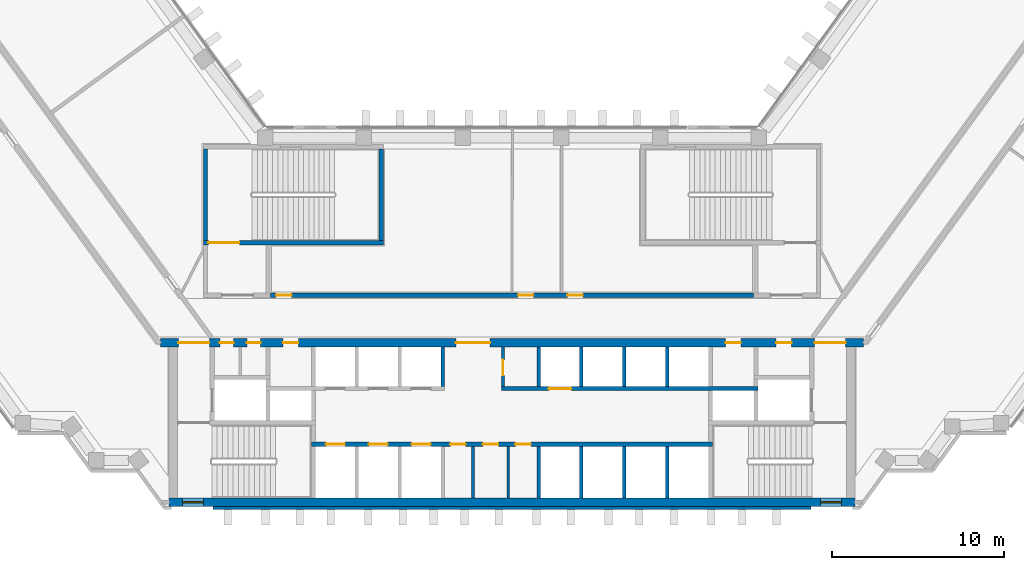
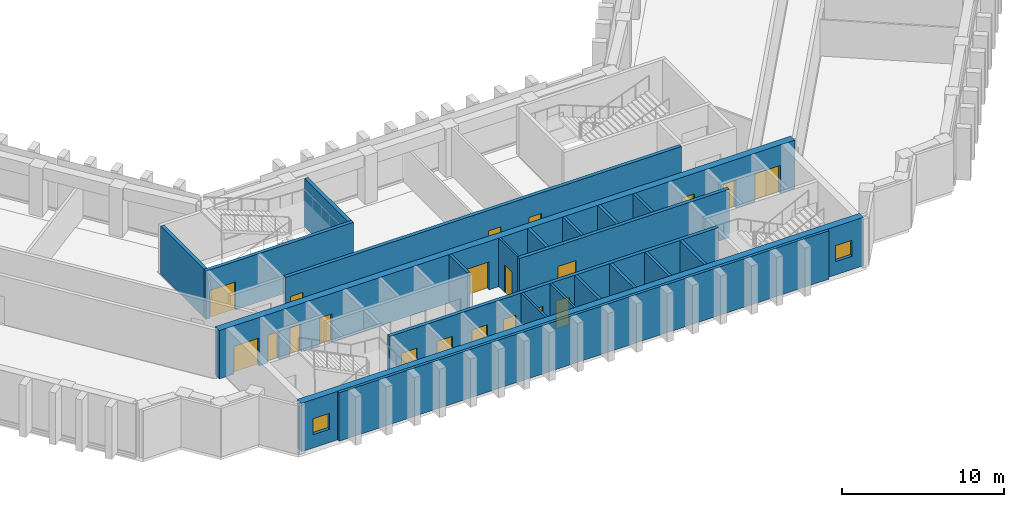
# One storey, part 10 of 17: 21 walls, 20 doors, 2 windows, 22 openings.
"""IFC4 building model written with IfcOpenShell, lengths in metres."""

from ifc_helpers import new_model, si_unit, direction, frame, frame_2d, origin, place, context, subcontext, project, spatial, rectangle, extrude, material, layer, layer_set, type_object, element, fill, save


model = new_model("IFC4")

# Units and contexts
model_context = context("Model", 3, precision=1e-05, world=origin(), true_north=direction((0.0, 1.0)))
body_context = subcontext(model_context, "Body", "Model", "MODEL_VIEW")
ifc_project = project(units=[si_unit("LENGTHUNIT", "METRE"), si_unit("AREAUNIT", "SQUARE_METRE"), si_unit("VOLUMEUNIT", "CUBIC_METRE"), si_unit("PLANEANGLEUNIT", "RADIAN"), si_unit("MASSUNIT", "GRAM", prefix="KILO")], contexts=[model_context])

# Site, building, storey
site_placement = place(None, origin())
site = spatial("IfcSite", under=ifc_project, at=site_placement, CompositionType="ELEMENT")
building_placement = place(site_placement, origin())
building = spatial("IfcBuilding", under=site, at=building_placement, Name="Quipu Civic Tower", CompositionType="ELEMENT")
storey_placement = place(building_placement, frame((0.0, 0.0, 39.0)))
storey = spatial("IfcBuildingStorey", under=building, at=storey_placement, Name="L08", CompositionType="ELEMENT", Elevation=39.0)

# Wall, openings, doors
ifc_material_1 = material(Name="Concrete C70/85", Category="concrete")
ifc_layer_1 = layer(ifc_material_1, 0.25)
ifc_layer_set_1 = layer_set([ifc_layer_1], Name="Concrete C70/85")
wall_type_1 = type_object("IfcWallType", Name="Core wall 250", PredefinedType="SHEAR", material=ifc_layer_set_1)
wall_1_placement = place(storey_placement, frame((11.699951171875, -7.375, 0.0), z_axis=(0.0, 0.0, 1.0), x_axis=(-1.0, 0.0, 0.0)))
wall_1 = element("IfcWall", 1, at=wall_1_placement, inside=storey, type_object=wall_type_1, Name="Core wall", PredefinedType="SHEAR", context=body_context, shape_type="SweptSolid", body=[
    extrude(rectangle(XDim=23.39990234375, YDim=0.25, at=frame_2d((11.699951171875, 0.0))), origin(), (0.0, 0.0, 1.0), 3.64990234375),
])
opening_1_placement = place(wall_1_placement, frame((21.449951171875, 0.0, 0.0)))
opening_1 = element("IfcOpeningElement", 2, at=opening_1_placement, cuts=wall_1, Name="Opening LD-LL1", PredefinedType="OPENING", context=body_context, shape_type="SweptSolid", body=[
    extrude(rectangle(XDim=1.10009765625, YDim=2.10009765625, at=frame_2d((0.550048828125, 1.050048828125))), frame((0.0, 0.135009765625, 0.0), z_axis=(0.0, -1.0, 0.0), x_axis=(1.0, 0.0, 0.0)), (0.0, 0.0, 1.0), 0.27001953125),
])
opening_2_placement = place(wall_1_placement, frame((18.949951171875, 0.0, 0.0)))
opening_2 = element("IfcOpeningElement", 3, at=opening_2_placement, cuts=wall_1, Name="Opening LD-LL2", PredefinedType="OPENING", context=body_context, shape_type="SweptSolid", body=[
    extrude(rectangle(XDim=1.10009765625, YDim=2.10009765625, at=frame_2d((0.550048828125, 1.050048828125))), frame((0.0, 0.135009765625, 0.0), z_axis=(0.0, -1.0, 0.0), x_axis=(1.0, 0.0, 0.0)), (0.0, 0.0, 1.0), 0.27001953125),
])
opening_3_placement = place(wall_1_placement, frame((16.449951171875, 0.0, 0.0)))
opening_3 = element("IfcOpeningElement", 4, at=opening_3_placement, cuts=wall_1, Name="Opening LD-LL3", PredefinedType="OPENING", context=body_context, shape_type="SweptSolid", body=[
    extrude(rectangle(XDim=1.10009765625, YDim=2.10009765625, at=frame_2d((0.550048828125, 1.050048828125))), frame((0.0, 0.135009765625, 0.0), z_axis=(0.0, -1.0, 0.0), x_axis=(1.0, 0.0, 0.0)), (0.0, 0.0, 1.0), 0.27001953125),
])
opening_4_placement = place(wall_1_placement, frame((14.39990234375, 0.0, 0.0)))
opening_4 = element("IfcOpeningElement", 5, at=opening_4_placement, cuts=wall_1, Name="Opening CD-01", PredefinedType="OPENING", context=body_context, shape_type="SweptSolid", body=[
    extrude(rectangle(XDim=0.89990234375, YDim=2.10009765625, at=frame_2d((0.449951171875, 1.050048828125))), frame((0.0, 0.135009765625, 0.0), z_axis=(0.0, -1.0, 0.0), x_axis=(1.0, 0.0, 0.0)), (0.0, 0.0, 1.0), 0.27001953125),
])
opening_5_placement = place(wall_1_placement, frame((12.5, 0.0, 0.0)))
opening_5 = element("IfcOpeningElement", 6, at=opening_5_placement, cuts=wall_1, Name="Opening CD-02", PredefinedType="OPENING", context=body_context, shape_type="SweptSolid", body=[
    extrude(rectangle(XDim=0.89990234375, YDim=2.10009765625, at=frame_2d((0.449951171875, 1.050048828125))), frame((0.0, 0.135009765625, 0.0), z_axis=(0.0, -1.0, 0.0), x_axis=(1.0, 0.0, 0.0)), (0.0, 0.0, 1.0), 0.27001953125),
])
opening_6_placement = place(wall_1_placement, frame((10.60009765625, 0.0, 0.0)))
opening_6 = element("IfcOpeningElement", 7, at=opening_6_placement, cuts=wall_1, Name="Opening CD-03", PredefinedType="OPENING", context=body_context, shape_type="SweptSolid", body=[
    extrude(rectangle(XDim=0.89990234375, YDim=2.10009765625, at=frame_2d((0.449951171875, 1.050048828125))), frame((0.0, 0.135009765625, 0.0), z_axis=(0.0, -1.0, 0.0), x_axis=(1.0, 0.0, 0.0)), (0.0, 0.0, 1.0), 0.27001953125),
])
ifc_material_2 = material(Name="Fire rated steel door", Category="steel")
door_type_1 = type_object("IfcDoorType", Name="Fire door FD60 900 x 2100", OperationType="NOTDEFINED", PredefinedType="DOOR", material=ifc_material_2)
door_1_placement = place(opening_4_placement, origin())
door_1 = element("IfcDoor", 8, at=door_1_placement, inside=storey, type_object=door_type_1, Name="WC door", OperationType="SINGLE_SWING_RIGHT", OverallHeight=2.10009765625, OverallWidth=0.89990234375, PredefinedType="DOOR", context=body_context, shape_type="SweptSolid", body=[
    extrude(rectangle(XDim=0.89990234375, YDim=2.10009765625, at=frame_2d((0.449951171875, 1.050048828125))), frame((0.0, 0.02490234375, 0.0), z_axis=(0.0, -1.0, 0.0), x_axis=(1.0, 0.0, 0.0)), (0.0, 0.0, 1.0), 0.050048828125),
])
fill(opening_4, door_1)
door_2_placement = place(opening_5_placement, origin())
door_2 = element("IfcDoor", 9, at=door_2_placement, inside=storey, type_object=door_type_1, Name="WC door", OperationType="SINGLE_SWING_RIGHT", OverallHeight=2.10009765625, OverallWidth=0.89990234375, PredefinedType="DOOR", context=body_context, shape_type="SweptSolid", body=[
    extrude(rectangle(XDim=0.89990234375, YDim=2.10009765625, at=frame_2d((0.449951171875, 1.050048828125))), frame((0.0, 0.02490234375, 0.0), z_axis=(0.0, -1.0, 0.0), x_axis=(1.0, 0.0, 0.0)), (0.0, 0.0, 1.0), 0.050048828125),
])
fill(opening_5, door_2)
door_3_placement = place(opening_6_placement, origin())
door_3 = element("IfcDoor", 10, at=door_3_placement, inside=storey, type_object=door_type_1, Name="WC door", OperationType="SINGLE_SWING_LEFT", OverallHeight=2.10009765625, OverallWidth=0.89990234375, PredefinedType="DOOR", context=body_context, shape_type="SweptSolid", body=[
    extrude(rectangle(XDim=0.89990234375, YDim=2.10009765625, at=frame_2d((0.449951171875, 1.050048828125))), frame((0.0, 0.02490234375, 0.0), z_axis=(0.0, -1.0, 0.0), x_axis=(1.0, 0.0, 0.0)), (0.0, 0.0, 1.0), 0.050048828125),
])
fill(opening_6, door_3)
ifc_material_3 = material(Name="Stainless steel", Category="steel")
door_type_2 = type_object("IfcDoorType", Name="Lift landing door 1100 x 2100", OperationType="DOUBLE_DOOR_SLIDING", PredefinedType="DOOR", material=ifc_material_3)
door_4_placement = place(opening_1_placement, origin())
door_4 = element("IfcDoor", 11, at=door_4_placement, inside=storey, type_object=door_type_2, Name="Landing door LL1", OperationType="DOUBLE_DOOR_SLIDING", OverallHeight=2.10009765625, OverallWidth=1.10009765625, PredefinedType="DOOR", context=body_context, shape_type="SweptSolid", body=[
    extrude(rectangle(XDim=1.10009765625, YDim=2.10009765625, at=frame_2d((0.550048828125, 1.050048828125))), frame((0.0, 0.02490234375, 0.0), z_axis=(0.0, -1.0, 0.0), x_axis=(1.0, 0.0, 0.0)), (0.0, 0.0, 1.0), 0.050048828125),
])
fill(opening_1, door_4)
door_5_placement = place(opening_2_placement, origin())
door_5 = element("IfcDoor", 12, at=door_5_placement, inside=storey, type_object=door_type_2, Name="Landing door LL2", OperationType="DOUBLE_DOOR_SLIDING", OverallHeight=2.10009765625, OverallWidth=1.10009765625, PredefinedType="DOOR", context=body_context, shape_type="SweptSolid", body=[
    extrude(rectangle(XDim=1.10009765625, YDim=2.10009765625, at=frame_2d((0.550048828125, 1.050048828125))), frame((0.0, 0.02490234375, 0.0), z_axis=(0.0, -1.0, 0.0), x_axis=(1.0, 0.0, 0.0)), (0.0, 0.0, 1.0), 0.050048828125),
])
fill(opening_2, door_5)
door_6_placement = place(opening_3_placement, origin())
door_6 = element("IfcDoor", 13, at=door_6_placement, inside=storey, type_object=door_type_2, Name="Landing door LL3", OperationType="DOUBLE_DOOR_SLIDING", OverallHeight=2.10009765625, OverallWidth=1.10009765625, PredefinedType="DOOR", context=body_context, shape_type="SweptSolid", body=[
    extrude(rectangle(XDim=1.10009765625, YDim=2.10009765625, at=frame_2d((0.550048828125, 1.050048828125))), frame((0.0, 0.02490234375, 0.0), z_axis=(0.0, -1.0, 0.0), x_axis=(1.0, 0.0, 0.0)), (0.0, 0.0, 1.0), 0.050048828125),
])
fill(opening_3, door_6)

# Wall, opening, door
wall_2_placement = place(storey_placement, frame((-0.60009765625, -4.125, 0.0), z_axis=(0.0, 0.0, 1.0), x_axis=(1.0, 0.0, 0.0)))
wall_2 = element("IfcWall", 14, at=wall_2_placement, inside=storey, type_object=wall_type_1, Name="Core wall", PredefinedType="SHEAR", context=body_context, shape_type="SweptSolid", body=[
    extrude(rectangle(XDim=14.9501953125, YDim=0.25, at=frame_2d((7.47509765625, 0.0))), origin(), (0.0, 0.0, 1.0), 3.64990234375),
])
opening_7_placement = place(wall_2_placement, frame((2.75, 0.0, 0.0)))
opening_7 = element("IfcOpeningElement", 15, at=opening_7_placement, cuts=wall_2, Name="Opening LD-FF3", PredefinedType="OPENING", context=body_context, shape_type="SweptSolid", body=[
    extrude(rectangle(XDim=1.300048828125, YDim=2.10009765625, at=frame_2d((0.64990234375, 1.050048828125))), frame((0.0, 0.135009765625, 0.0), z_axis=(0.0, -1.0, 0.0), x_axis=(1.0, 0.0, 0.0)), (0.0, 0.0, 1.0), 0.27001953125),
])
ifc_material_4 = material(Name="Stainless steel", Category="steel")
door_type_3 = type_object("IfcDoorType", Name="Lift landing door 1300 x 2100", OperationType="DOUBLE_DOOR_SLIDING", PredefinedType="DOOR", material=ifc_material_4)
door_7_placement = place(opening_7_placement, origin())
door_7 = element("IfcDoor", 16, at=door_7_placement, inside=storey, type_object=door_type_3, Name="Landing door FF3", OperationType="DOUBLE_DOOR_SLIDING", OverallHeight=2.10009765625, OverallWidth=1.300048828125, PredefinedType="DOOR", context=body_context, shape_type="SweptSolid", body=[
    extrude(rectangle(XDim=1.300048828125, YDim=2.10009765625, at=frame_2d((0.64990234375, 1.050048828125))), frame((0.0, 0.02490234375, 0.0), z_axis=(0.0, -1.0, 0.0), x_axis=(1.0, 0.0, 0.0)), (0.0, 0.0, 1.0), 0.050048828125),
])
fill(opening_7, door_7)

wall_3_placement = place(storey_placement, frame((-18.0, 4.375, 0.0), z_axis=(0.0, 0.0, 1.0), x_axis=(1.0, 0.0, 0.0)))
wall_3 = element("IfcWall", 17, at=wall_3_placement, inside=storey, type_object=wall_type_1, Name="Core wall", PredefinedType="SHEAR", context=body_context, shape_type="SweptSolid", body=[
    extrude(rectangle(XDim=10.5, YDim=0.25, at=frame_2d((5.25, 0.0))), origin(), (0.0, 0.0, 1.0), 3.64990234375),
])
opening_8_placement = place(wall_3_placement, frame((0.300048828125, 0.0, 0.0)))
opening_8 = element("IfcOpeningElement", 18, at=opening_8_placement, cuts=wall_3, Name="Opening CD-16", PredefinedType="OPENING", context=body_context, shape_type="SweptSolid", body=[
    extrude(rectangle(XDim=1.800048828125, YDim=2.10009765625, at=frame_2d((0.89990234375, 1.050048828125))), frame((0.0, 0.135009765625, 0.0), z_axis=(0.0, -1.0, 0.0), x_axis=(1.0, 0.0, 0.0)), (0.0, 0.0, 1.0), 0.27001953125),
])
ifc_material_5 = material(Name="Fire rated steel door", Category="steel")
door_type_4 = type_object("IfcDoorType", Name="Fire door FD90 double 1800 x 2100", OperationType="NOTDEFINED", PredefinedType="DOOR", material=ifc_material_5)
door_8_placement = place(opening_8_placement, origin())
door_8 = element("IfcDoor", 19, at=door_8_placement, inside=storey, type_object=door_type_4, Name="Door", OperationType="DOUBLE_DOOR_SINGLE_SWING", OverallHeight=2.10009765625, OverallWidth=1.800048828125, PredefinedType="DOOR", context=body_context, shape_type="SweptSolid", body=[
    extrude(rectangle(XDim=1.800048828125, YDim=2.10009765625, at=frame_2d((0.89990234375, 1.050048828125))), frame((0.0, 0.02490234375, 0.0), z_axis=(0.0, -1.0, 0.0), x_axis=(1.0, 0.0, 0.0)), (0.0, 0.0, 1.0), 0.050048828125),
])
fill(opening_8, door_8)

# Walls
for number, where, z_axis, x_axis, name in (
    (20, (-17.875, 4.5, 0.0), (0.0, 0.0, 1.0), (0.0, 1.0, 0.0), "Core wall"),
    (21, (-7.625, 4.5, 0.0), (0.0, 0.0, 1.0), (0.0, 1.0, 0.0), "Core wall"),
):
    element("IfcWall", number, at=place(storey_placement, frame(where, z_axis=z_axis, x_axis=x_axis)), inside=storey, type_object=wall_type_1, Name=name, PredefinedType="SHEAR", context=body_context, shape_type="SweptSolid", body=[
        extrude(rectangle(XDim=5.35009765625, YDim=0.25, at=frame_2d((2.675048828125, 0.0))), origin(), (0.0, 0.0, 1.0), 3.64990234375),
    ])

# Wall, openings, windows
ifc_material_6 = material(Name="Concrete C70/85", Category="concrete")
ifc_layer_2 = layer(ifc_material_6, 0.5)
ifc_layer_set_2 = layer_set([ifc_layer_2], Name="Concrete C70/85")
wall_type_2 = type_object("IfcWallType", Name="Core wall 500", PredefinedType="SHEAR", material=ifc_layer_set_2)
wall_4_placement = place(storey_placement, frame((-20.0, -10.75, 0.0), z_axis=(0.0, 0.0, 1.0), x_axis=(1.0, 0.0, 0.0)))
wall_4 = element("IfcWall", 22, at=wall_4_placement, inside=storey, type_object=wall_type_2, Name="Core wall", PredefinedType="SHEAR", context=body_context, shape_type="SweptSolid", body=[
    extrude(rectangle(XDim=40.0, YDim=0.5, at=frame_2d((20.0, 0.0))), origin(), (0.0, 0.0, 1.0), 3.64990234375),
])
opening_9_placement = place(wall_4_placement, frame((0.800048828125, 0.0, 1.0)))
opening_9 = element("IfcOpeningElement", 23, at=opening_9_placement, cuts=wall_4, Name="Opening SV-1", PredefinedType="OPENING", context=body_context, shape_type="SweptSolid", body=[
    extrude(rectangle(XDim=1.199951171875, YDim=1.199951171875, at=frame_2d((0.60009765625, 0.60009765625))), frame((0.0, 0.260009765625, 0.0), z_axis=(0.0, -1.0, 0.0), x_axis=(1.0, 0.0, 0.0)), (0.0, 0.0, 1.0), 0.52001953125),
])
opening_10_placement = place(wall_4_placement, frame((38.0, 0.0, 1.0)))
opening_10 = element("IfcOpeningElement", 24, at=opening_10_placement, cuts=wall_4, Name="Opening SV-2", PredefinedType="OPENING", context=body_context, shape_type="SweptSolid", body=[
    extrude(rectangle(XDim=1.199951171875, YDim=1.199951171875, at=frame_2d((0.60009765625, 0.60009765625))), frame((0.0, 0.260009765625, 0.0), z_axis=(0.0, -1.0, 0.0), x_axis=(1.0, 0.0, 0.0)), (0.0, 0.0, 1.0), 0.52001953125),
])
ifc_material_7 = material(Name="Aluminium louvre", Category="aluminium")
window_type = type_object("IfcWindowType", Name="Stair ventilation louvre 1200 x 1200", PartitioningType="SINGLE_PANEL", PredefinedType="WINDOW", material=ifc_material_7)
window_1_placement = place(opening_9_placement, origin())
window_1 = element("IfcWindow", 25, at=window_1_placement, inside=storey, type_object=window_type, Name="Stair ventilation opening", OverallHeight=1.199951171875, OverallWidth=1.199951171875, PartitioningType="SINGLE_PANEL", PredefinedType="WINDOW", context=body_context, shape_type="SweptSolid", body=[
    extrude(rectangle(XDim=1.199951171875, YDim=1.199951171875, at=frame_2d((0.60009765625, 0.60009765625))), frame((0.0, 0.030029296875, 0.0), z_axis=(0.0, -1.0, 0.0), x_axis=(1.0, 0.0, 0.0)), (0.0, 0.0, 1.0), 0.06005859375),
])
fill(opening_9, window_1)
window_2_placement = place(opening_10_placement, origin())
window_2 = element("IfcWindow", 26, at=window_2_placement, inside=storey, type_object=window_type, Name="Stair ventilation opening", OverallHeight=1.199951171875, OverallWidth=1.199951171875, PartitioningType="SINGLE_PANEL", PredefinedType="WINDOW", context=body_context, shape_type="SweptSolid", body=[
    extrude(rectangle(XDim=1.199951171875, YDim=1.199951171875, at=frame_2d((0.60009765625, 0.60009765625))), frame((0.0, 0.030029296875, 0.0), z_axis=(0.0, -1.0, 0.0), x_axis=(1.0, 0.0, 0.0)), (0.0, 0.0, 1.0), 0.06005859375),
])
fill(opening_10, window_2)

# Wall, openings, doors
wall_5_placement = place(storey_placement, frame((20.489990234375, -1.449951171875, 0.0), z_axis=(0.0, 0.0, 1.0), x_axis=(-1.0, 0.0, 0.0)))
wall_5 = element("IfcWall", 27, at=wall_5_placement, inside=storey, type_object=wall_type_2, Name="Core wall", PredefinedType="SHEAR", context=body_context, shape_type="SweptSolid", body=[
    extrude(rectangle(XDim=40.97998046875, YDim=0.5, at=frame_2d((20.489990234375, 0.0))), origin(), (0.0, 0.0, 1.0), 3.64990234375),
])
opening_11_placement = place(wall_5_placement, frame((38.139892578125, 0.0, 0.0)))
opening_11 = element("IfcOpeningElement", 28, at=opening_11_placement, cuts=wall_5, Name="Opening CD-07", PredefinedType="OPENING", context=body_context, shape_type="SweptSolid", body=[
    extrude(rectangle(XDim=1.800048828125, YDim=2.10009765625, at=frame_2d((0.89990234375, 1.050048828125))), frame((0.0, 0.260009765625, 0.0), z_axis=(0.0, -1.0, 0.0), x_axis=(1.0, 0.0, 0.0)), (0.0, 0.0, 1.0), 0.52001953125),
])
opening_12_placement = place(wall_5_placement, frame((36.7275390625, 0.0, 0.0)))
opening_12 = element("IfcOpeningElement", 29, at=opening_12_placement, cuts=wall_5, Name="Opening CD-08", PredefinedType="OPENING", context=body_context, shape_type="SweptSolid", body=[
    extrude(rectangle(XDim=0.800048828125, YDim=2.10009765625, at=frame_2d((0.39990234375, 1.050048828125))), frame((0.0, 0.260009765625, 0.0), z_axis=(0.0, -1.0, 0.0), x_axis=(1.0, 0.0, 0.0)), (0.0, 0.0, 1.0), 0.52001953125),
])
opening_13_placement = place(wall_5_placement, frame((35.152587890625, 0.0, 0.0)))
opening_13 = element("IfcOpeningElement", 30, at=opening_13_placement, cuts=wall_5, Name="Opening CD-09", PredefinedType="OPENING", context=body_context, shape_type="SweptSolid", body=[
    extrude(rectangle(XDim=0.800048828125, YDim=2.10009765625, at=frame_2d((0.39990234375, 1.050048828125))), frame((0.0, 0.260009765625, 0.0), z_axis=(0.0, -1.0, 0.0), x_axis=(1.0, 0.0, 0.0)), (0.0, 0.0, 1.0), 0.52001953125),
])
opening_14_placement = place(wall_5_placement, frame((32.93994140625, 0.0, 0.0)))
opening_14 = element("IfcOpeningElement", 31, at=opening_14_placement, cuts=wall_5, Name="Opening CD-10", PredefinedType="OPENING", context=body_context, shape_type="SweptSolid", body=[
    extrude(rectangle(XDim=0.89990234375, YDim=2.10009765625, at=frame_2d((0.449951171875, 1.050048828125))), frame((0.0, 0.260009765625, 0.0), z_axis=(0.0, -1.0, 0.0), x_axis=(1.0, 0.0, 0.0)), (0.0, 0.0, 1.0), 0.52001953125),
])
opening_15_placement = place(wall_5_placement, frame((21.764892578125, 0.0, 0.0)))
opening_15 = element("IfcOpeningElement", 32, at=opening_15_placement, cuts=wall_5, Name="Opening CD-11", PredefinedType="OPENING", context=body_context, shape_type="SweptSolid", body=[
    extrude(rectangle(XDim=2.0, YDim=2.10009765625, at=frame_2d((1.0, 1.050048828125))), frame((0.0, 0.260009765625, 0.0), z_axis=(0.0, -1.0, 0.0), x_axis=(1.0, 0.0, 0.0)), (0.0, 0.0, 1.0), 0.52001953125),
])
opening_16_placement = place(wall_5_placement, frame((7.139892578125, 0.0, 0.0)))
opening_16 = element("IfcOpeningElement", 33, at=opening_16_placement, cuts=wall_5, Name="Opening CD-12", PredefinedType="OPENING", context=body_context, shape_type="SweptSolid", body=[
    extrude(rectangle(XDim=0.89990234375, YDim=2.10009765625, at=frame_2d((0.449951171875, 1.050048828125))), frame((0.0, 0.260009765625, 0.0), z_axis=(0.0, -1.0, 0.0), x_axis=(1.0, 0.0, 0.0)), (0.0, 0.0, 1.0), 0.52001953125),
])
opening_17_placement = place(wall_5_placement, frame((4.18994140625, 0.0, 0.0)))
opening_17 = element("IfcOpeningElement", 34, at=opening_17_placement, cuts=wall_5, Name="Opening CD-13", PredefinedType="OPENING", context=body_context, shape_type="SweptSolid", body=[
    extrude(rectangle(XDim=0.89990234375, YDim=2.10009765625, at=frame_2d((0.449951171875, 1.050048828125))), frame((0.0, 0.260009765625, 0.0), z_axis=(0.0, -1.0, 0.0), x_axis=(1.0, 0.0, 0.0)), (0.0, 0.0, 1.0), 0.52001953125),
])
opening_18_placement = place(wall_5_placement, frame((1.0400390625, 0.0, 0.0)))
opening_18 = element("IfcOpeningElement", 35, at=opening_18_placement, cuts=wall_5, Name="Opening CD-14", PredefinedType="OPENING", context=body_context, shape_type="SweptSolid", body=[
    extrude(rectangle(XDim=1.800048828125, YDim=2.10009765625, at=frame_2d((0.89990234375, 1.050048828125))), frame((0.0, 0.260009765625, 0.0), z_axis=(0.0, -1.0, 0.0), x_axis=(1.0, 0.0, 0.0)), (0.0, 0.0, 1.0), 0.52001953125),
])
ifc_material_8 = material(Name="Fire rated steel door", Category="steel")
door_type_5 = type_object("IfcDoorType", Name="Fire door FD60 800 x 2100", OperationType="NOTDEFINED", PredefinedType="DOOR", material=ifc_material_8)
door_9_placement = place(opening_12_placement, origin())
door_9 = element("IfcDoor", 36, at=door_9_placement, inside=storey, type_object=door_type_5, Name="Door", OperationType="SINGLE_SWING_RIGHT", OverallHeight=2.10009765625, OverallWidth=0.800048828125, PredefinedType="DOOR", context=body_context, shape_type="SweptSolid", body=[
    extrude(rectangle(XDim=0.800048828125, YDim=2.10009765625, at=frame_2d((0.39990234375, 1.050048828125))), frame((0.0, 0.02490234375, 0.0), z_axis=(0.0, -1.0, 0.0), x_axis=(1.0, 0.0, 0.0)), (0.0, 0.0, 1.0), 0.050048828125),
])
fill(opening_12, door_9)
door_10_placement = place(opening_13_placement, origin())
door_10 = element("IfcDoor", 37, at=door_10_placement, inside=storey, type_object=door_type_5, Name="Door", OperationType="SINGLE_SWING_RIGHT", OverallHeight=2.10009765625, OverallWidth=0.800048828125, PredefinedType="DOOR", context=body_context, shape_type="SweptSolid", body=[
    extrude(rectangle(XDim=0.800048828125, YDim=2.10009765625, at=frame_2d((0.39990234375, 1.050048828125))), frame((0.0, 0.02490234375, 0.0), z_axis=(0.0, -1.0, 0.0), x_axis=(1.0, 0.0, 0.0)), (0.0, 0.0, 1.0), 0.050048828125),
])
fill(opening_13, door_10)
door_11_placement = place(opening_14_placement, origin())
door_11 = element("IfcDoor", 38, at=door_11_placement, inside=storey, type_object=door_type_1, Name="Riser door", OperationType="SINGLE_SWING_RIGHT", OverallHeight=2.10009765625, OverallWidth=0.89990234375, PredefinedType="DOOR", context=body_context, shape_type="SweptSolid", body=[
    extrude(rectangle(XDim=0.89990234375, YDim=2.10009765625, at=frame_2d((0.449951171875, 1.050048828125))), frame((0.0, 0.02490234375, 0.0), z_axis=(0.0, -1.0, 0.0), x_axis=(1.0, 0.0, 0.0)), (0.0, 0.0, 1.0), 0.050048828125),
])
fill(opening_14, door_11)
door_12_placement = place(opening_16_placement, origin())
door_12 = element("IfcDoor", 39, at=door_12_placement, inside=storey, type_object=door_type_1, Name="Riser door", OperationType="SINGLE_SWING_LEFT", OverallHeight=2.10009765625, OverallWidth=0.89990234375, PredefinedType="DOOR", context=body_context, shape_type="SweptSolid", body=[
    extrude(rectangle(XDim=0.89990234375, YDim=2.10009765625, at=frame_2d((0.449951171875, 1.050048828125))), frame((0.0, 0.02490234375, 0.0), z_axis=(0.0, -1.0, 0.0), x_axis=(1.0, 0.0, 0.0)), (0.0, 0.0, 1.0), 0.050048828125),
])
fill(opening_16, door_12)
door_13_placement = place(opening_17_placement, origin())
door_13 = element("IfcDoor", 40, at=door_13_placement, inside=storey, type_object=door_type_1, Name="Door", OperationType="SINGLE_SWING_LEFT", OverallHeight=2.10009765625, OverallWidth=0.89990234375, PredefinedType="DOOR", context=body_context, shape_type="SweptSolid", body=[
    extrude(rectangle(XDim=0.89990234375, YDim=2.10009765625, at=frame_2d((0.449951171875, 1.050048828125))), frame((0.0, 0.02490234375, 0.0), z_axis=(0.0, -1.0, 0.0), x_axis=(1.0, 0.0, 0.0)), (0.0, 0.0, 1.0), 0.050048828125),
])
fill(opening_17, door_13)
door_14_placement = place(opening_11_placement, origin())
door_14 = element("IfcDoor", 41, at=door_14_placement, inside=storey, type_object=door_type_4, Name="Lobby door", OperationType="DOUBLE_DOOR_SINGLE_SWING", OverallHeight=2.10009765625, OverallWidth=1.800048828125, PredefinedType="DOOR", context=body_context, shape_type="SweptSolid", body=[
    extrude(rectangle(XDim=1.800048828125, YDim=2.10009765625, at=frame_2d((0.89990234375, 1.050048828125))), frame((0.0, 0.02490234375, 0.0), z_axis=(0.0, -1.0, 0.0), x_axis=(1.0, 0.0, 0.0)), (0.0, 0.0, 1.0), 0.050048828125),
])
fill(opening_11, door_14)
door_15_placement = place(opening_18_placement, origin())
door_15 = element("IfcDoor", 42, at=door_15_placement, inside=storey, type_object=door_type_4, Name="Lobby door", OperationType="DOUBLE_DOOR_SINGLE_SWING", OverallHeight=2.10009765625, OverallWidth=1.800048828125, PredefinedType="DOOR", context=body_context, shape_type="SweptSolid", body=[
    extrude(rectangle(XDim=1.800048828125, YDim=2.10009765625, at=frame_2d((0.89990234375, 1.050048828125))), frame((0.0, 0.02490234375, 0.0), z_axis=(0.0, -1.0, 0.0), x_axis=(1.0, 0.0, 0.0)), (0.0, 0.0, 1.0), 0.050048828125),
])
fill(opening_18, door_15)
ifc_material_9 = material(Name="Fire rated steel door", Category="steel")
door_type_6 = type_object("IfcDoorType", Name="Fire door FD90 double 2000 x 2100", OperationType="NOTDEFINED", PredefinedType="DOOR", material=ifc_material_9)
door_16_placement = place(opening_15_placement, origin())
door_16 = element("IfcDoor", 43, at=door_16_placement, inside=storey, type_object=door_type_6, Name="Lobby door", OperationType="DOUBLE_DOOR_SINGLE_SWING", OverallHeight=2.10009765625, OverallWidth=2.0, PredefinedType="DOOR", context=body_context, shape_type="SweptSolid", body=[
    extrude(rectangle(XDim=2.0, YDim=2.10009765625, at=frame_2d((1.0, 1.050048828125))), frame((0.0, 0.02490234375, 0.0), z_axis=(0.0, -1.0, 0.0), x_axis=(1.0, 0.0, 0.0)), (0.0, 0.0, 1.0), 0.050048828125),
])
fill(opening_15, door_16)

ifc_material_10 = material(Name="Concrete C50/60", Category="concrete")
ifc_layer_3 = layer(ifc_material_10, 0.25)
ifc_layer_set_3 = layer_set([ifc_layer_3], Name="Concrete C50/60")
wall_type_3 = type_object("IfcWallType", Name="Corridor wall 250 concrete", PredefinedType="SOLIDWALL", material=ifc_layer_set_3)
wall_6_placement = place(storey_placement, frame((-14.090087890625, 1.324951171875, 0.0), z_axis=(0.0, 0.0, 1.0), x_axis=(1.0, 0.0, 0.0)))
wall_6 = element("IfcWall", 44, at=wall_6_placement, inside=storey, type_object=wall_type_3, Name="Corridor wall C05", PredefinedType="SOLIDWALL", context=body_context, shape_type="SweptSolid", body=[
    extrude(rectangle(XDim=28.18017578125, YDim=0.25, at=frame_2d((14.090087890625, 0.0))), origin(), (0.0, 0.0, 1.0), 3.64990234375),
])
opening_19_placement = place(wall_6_placement, frame((17.319091796875, 0.0, 0.0)))
opening_19 = element("IfcOpeningElement", 45, at=opening_19_placement, cuts=wall_6, Name="Opening D012", PredefinedType="OPENING", context=body_context, shape_type="SweptSolid", body=[
    extrude(rectangle(XDim=0.89990234375, YDim=2.10009765625, at=frame_2d((0.449951171875, 1.050048828125))), frame((0.0, 0.135009765625, 0.0), z_axis=(0.0, -1.0, 0.0), x_axis=(1.0, 0.0, 0.0)), (0.0, 0.0, 1.0), 0.27001953125),
])
opening_20_placement = place(wall_6_placement, frame((14.43994140625, 0.0, 0.0)))
opening_20 = element("IfcOpeningElement", 46, at=opening_20_placement, cuts=wall_6, Name="Opening D011", PredefinedType="OPENING", context=body_context, shape_type="SweptSolid", body=[
    extrude(rectangle(XDim=0.89990234375, YDim=2.10009765625, at=frame_2d((0.449951171875, 1.050048828125))), frame((0.0, 0.135009765625, 0.0), z_axis=(0.0, -1.0, 0.0), x_axis=(1.0, 0.0, 0.0)), (0.0, 0.0, 1.0), 0.27001953125),
])
opening_21_placement = place(wall_6_placement, frame((0.340087890625, 0.0, 0.0)))
opening_21 = element("IfcOpeningElement", 47, at=opening_21_placement, cuts=wall_6, Name="Opening D010", PredefinedType="OPENING", context=body_context, shape_type="SweptSolid", body=[
    extrude(rectangle(XDim=0.89990234375, YDim=2.10009765625, at=frame_2d((0.449951171875, 1.050048828125))), frame((0.0, 0.135009765625, 0.0), z_axis=(0.0, -1.0, 0.0), x_axis=(1.0, 0.0, 0.0)), (0.0, 0.0, 1.0), 0.27001953125),
])
ifc_material_11 = material(Name="Fire rated timber door set with metal frame", Category="wood")
door_type_7 = type_object("IfcDoorType", Name="Single door 900 x 2100 FD60", OperationType="NOTDEFINED", PredefinedType="DOOR", material=ifc_material_11)
door_17_placement = place(opening_19_placement, origin())
door_17 = element("IfcDoor", 48, at=door_17_placement, inside=storey, type_object=door_type_7, Name="Door D012", OperationType="SINGLE_SWING_LEFT", OverallHeight=2.10009765625, OverallWidth=0.89990234375, PredefinedType="DOOR", context=body_context, shape_type="SweptSolid", body=[
    extrude(rectangle(XDim=0.89990234375, YDim=2.10009765625, at=frame_2d((0.449951171875, 1.050048828125))), frame((0.0, 0.02490234375, 0.0), z_axis=(0.0, -1.0, 0.0), x_axis=(1.0, 0.0, 0.0)), (0.0, 0.0, 1.0), 0.050048828125),
])
fill(opening_19, door_17)
door_18_placement = place(opening_20_placement, origin())
door_18 = element("IfcDoor", 49, at=door_18_placement, inside=storey, type_object=door_type_7, Name="Door D011", OperationType="SINGLE_SWING_LEFT", OverallHeight=2.10009765625, OverallWidth=0.89990234375, PredefinedType="DOOR", context=body_context, shape_type="SweptSolid", body=[
    extrude(rectangle(XDim=0.89990234375, YDim=2.10009765625, at=frame_2d((0.449951171875, 1.050048828125))), frame((0.0, 0.02490234375, 0.0), z_axis=(0.0, -1.0, 0.0), x_axis=(1.0, 0.0, 0.0)), (0.0, 0.0, 1.0), 0.050048828125),
])
fill(opening_20, door_18)
door_19_placement = place(opening_21_placement, origin())
door_19 = element("IfcDoor", 50, at=door_19_placement, inside=storey, type_object=door_type_7, Name="Door D010", OperationType="SINGLE_SWING_LEFT", OverallHeight=2.10009765625, OverallWidth=0.89990234375, PredefinedType="DOOR", context=body_context, shape_type="SweptSolid", body=[
    extrude(rectangle(XDim=0.89990234375, YDim=2.10009765625, at=frame_2d((0.449951171875, 1.050048828125))), frame((0.0, 0.02490234375, 0.0), z_axis=(0.0, -1.0, 0.0), x_axis=(1.0, 0.0, 0.0)), (0.0, 0.0, 1.0), 0.050048828125),
])
fill(opening_21, door_19)

# Walls
ifc_material_12 = material(Name="Gypsum board partition")
ifc_layer_4 = layer(ifc_material_12, 0.14990234375)
ifc_layer_set_4 = layer_set([ifc_layer_4], Name="Gypsum board partition")
wall_type_4 = type_object("IfcWallType", Name="Partition 150", PredefinedType="PARTITIONING", material=ifc_layer_set_4)
for number, where, z_axis, x_axis, name in (
    (51, (-2.27490234375, -10.5, 0.0), (0.0, 0.0, 1.0), (0.0, 1.0, 0.0), "Partition"),
    (52, (-0.22509765625, -10.5, 0.0), (0.0, 0.0, 1.0), (0.0, 1.0, 0.0), "Partition"),
):
    element("IfcWall", number, at=place(storey_placement, frame(where, z_axis=z_axis, x_axis=x_axis)), inside=storey, type_object=wall_type_4, Name=name, PredefinedType="PARTITIONING", context=body_context, shape_type="SweptSolid", body=[
        extrude(rectangle(XDim=3.0, YDim=0.14990234375, at=frame_2d((1.5, 0.0))), origin(), (0.0, 0.0, 1.0), 3.64990234375),
    ])

# Wall, opening, door
wall_7_placement = place(storey_placement, frame((-0.52490234375, -4.0, 0.0), z_axis=(0.0, 0.0, 1.0), x_axis=(0.0, 1.0, 0.0)))
wall_7 = element("IfcWall", 53, at=wall_7_placement, inside=storey, type_object=wall_type_4, Name="Partition", PredefinedType="PARTITIONING", context=body_context, shape_type="SweptSolid", body=[
    extrude(rectangle(XDim=2.300048828125, YDim=0.14990234375, at=frame_2d((1.14990234375, 0.0))), origin(), (0.0, 0.0, 1.0), 3.64990234375),
])
opening_22_placement = place(wall_7_placement, frame((0.64990234375, 0.0, 0.0)))
opening_22 = element("IfcOpeningElement", 54, at=opening_22_placement, cuts=wall_7, Name="Opening CD-06", PredefinedType="OPENING", context=body_context, shape_type="SweptSolid", body=[
    extrude(rectangle(XDim=0.89990234375, YDim=2.10009765625, at=frame_2d((0.449951171875, 1.050048828125))), frame((0.0, 0.0849609375, 0.0), z_axis=(0.0, -1.0, 0.0), x_axis=(1.0, 0.0, 0.0)), (0.0, 0.0, 1.0), 0.169921875),
])
door_20_placement = place(opening_22_placement, origin())
door_20 = element("IfcDoor", 55, at=door_20_placement, inside=storey, type_object=door_type_1, Name="WC door", OperationType="SINGLE_SWING_LEFT", OverallHeight=2.10009765625, OverallWidth=0.89990234375, PredefinedType="DOOR", context=body_context, shape_type="SweptSolid", body=[
    extrude(rectangle(XDim=0.89990234375, YDim=2.10009765625, at=frame_2d((0.449951171875, 1.050048828125))), frame((0.0, 0.02490234375, 0.0), z_axis=(0.0, -1.0, 0.0), x_axis=(1.0, 0.0, 0.0)), (0.0, 0.0, 1.0), 0.050048828125),
])
fill(opening_22, door_20)

# Walls
ifc_material_13 = material(Name="Precast concrete C40/50", Category="concrete")
wall_type_5 = type_object("IfcWallType", Name="Precast cladding wall", PredefinedType="SOLIDWALL", material=ifc_material_13)
wall_8_placement = place(storey_placement, frame((-17.44384765625, -11.087890625, 0.0), z_axis=(0.0, 0.0, 1.0), x_axis=(1.0, 0.0, 0.0)))
element("IfcWall", 56, at=wall_8_placement, inside=storey, type_object=wall_type_5, Name="Precast cladding wall L08 P06", PredefinedType="SOLIDWALL", context=body_context, shape_type="SweptSolid", body=[
    extrude(rectangle(XDim=34.8876953125, YDim=0.199951171875, at=frame_2d((17.44384765625, 0.0))), origin(), (0.0, 0.0, 1.0), 3.64990234375),
])
ifc_material_14 = material(Name="Concrete C40/50", Category="concrete")
ifc_layer_5 = layer(ifc_material_14, 0.199951171875)
ifc_layer_set_5 = layer_set([ifc_layer_5], Name="Concrete C40/50")
wall_type_6 = type_object("IfcWallType", Name="Shaft wall 200", PredefinedType="SOLIDWALL", material=ifc_layer_set_5)
for number, where, z_axis, x_axis, name in (
    (57, (1.550048828125, -10.5, 0.0), (0.0, 0.0, 1.0), (0.0, 1.0, 0.0), "Shaft wall"),
    (58, (4.050048828125, -10.5, 0.0), (0.0, 0.0, 1.0), (0.0, 1.0, 0.0), "Shaft wall"),
    (59, (6.550048828125, -10.5, 0.0), (0.0, 0.0, 1.0), (0.0, 1.0, 0.0), "Shaft wall"),
    (60, (9.050048828125, -10.5, 0.0), (0.0, 0.0, 1.0), (0.0, 1.0, 0.0), "Shaft wall"),
):
    element("IfcWall", number, at=place(storey_placement, frame(where, z_axis=z_axis, x_axis=x_axis)), inside=storey, type_object=wall_type_6, Name=name, PredefinedType="SOLIDWALL", context=body_context, shape_type="SweptSolid", body=[
        extrude(rectangle(XDim=3.0, YDim=0.199951171875, at=frame_2d((1.5, 0.0))), origin(), (0.0, 0.0, 1.0), 3.64990234375),
    ])
for number, where, z_axis, x_axis, name in (
    (61, (-4.050048828125, -4.0, 0.0), (0.0, 0.0, 1.0), (0.0, 1.0, 0.0), "Shaft wall"),
    (62, (1.550048828125, -4.0, 0.0), (0.0, 0.0, 1.0), (0.0, 1.0, 0.0), "Shaft wall"),
    (63, (4.050048828125, -4.0, 0.0), (0.0, 0.0, 1.0), (0.0, 1.0, 0.0), "Shaft wall"),
    (64, (6.550048828125, -4.0, 0.0), (0.0, 0.0, 1.0), (0.0, 1.0, 0.0), "Shaft wall"),
    (65, (9.050048828125, -4.0, 0.0), (0.0, 0.0, 1.0), (0.0, 1.0, 0.0), "Shaft wall"),
):
    element("IfcWall", number, at=place(storey_placement, frame(where, z_axis=z_axis, x_axis=x_axis)), inside=storey, type_object=wall_type_6, Name=name, PredefinedType="SOLIDWALL", context=body_context, shape_type="SweptSolid", body=[
        extrude(rectangle(XDim=2.300048828125, YDim=0.199951171875, at=frame_2d((1.14990234375, 0.0))), origin(), (0.0, 0.0, 1.0), 3.64990234375),
    ])

save(model, "model.ifc")
